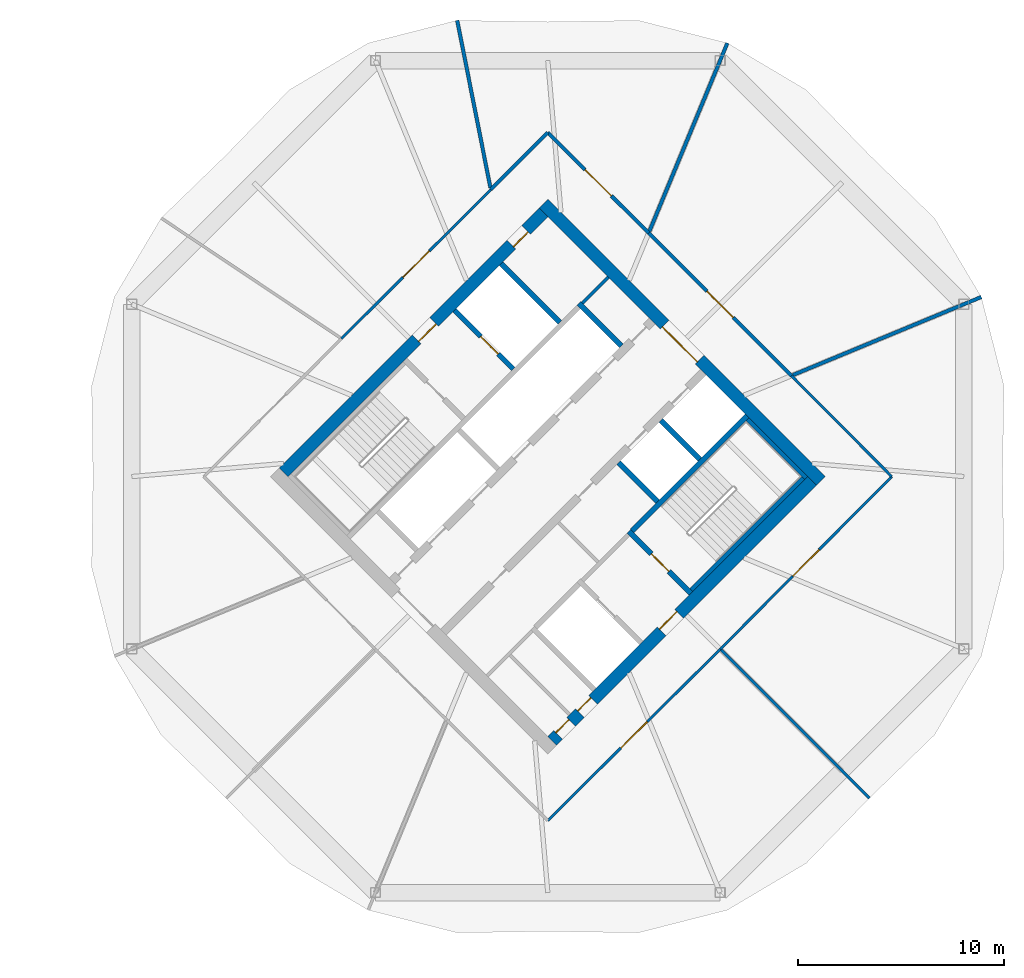
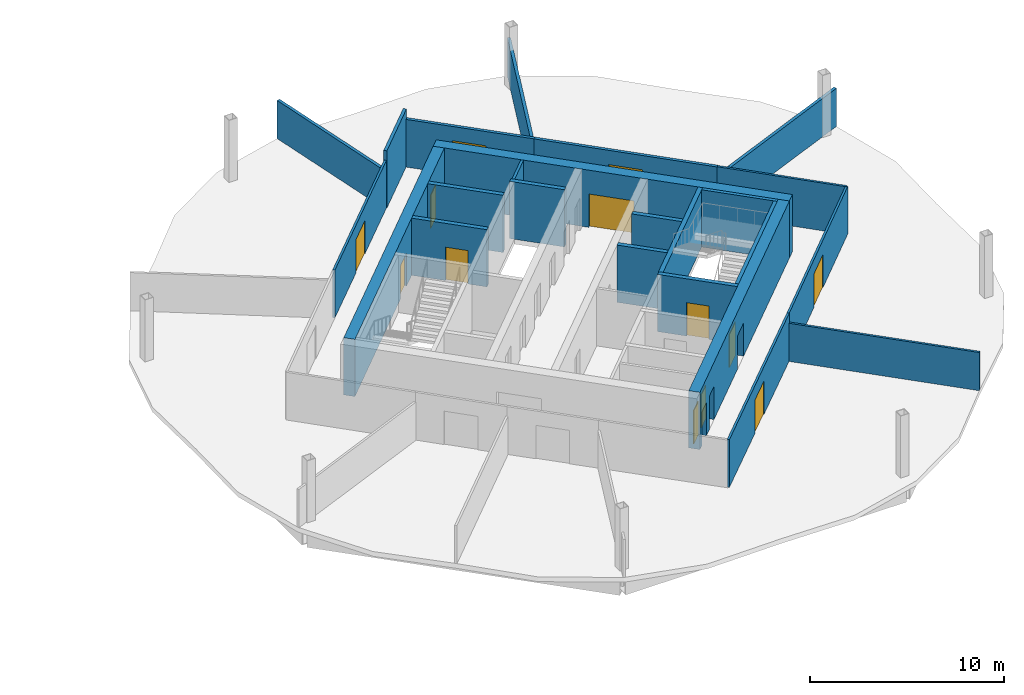
# One storey, part 8 of 10: 24 walls, 13 doors, 13 openings.
"""IFC4 building model written with IfcOpenShell, lengths in metres."""

from ifc_helpers import new_model, si_unit, direction, frame, frame_2d, origin, place, context, subcontext, project, spatial, rectangle, extrude, material, layer, layer_set, type_object, element, fill, save


model = new_model("IFC4")

# Units and contexts
model_context = context("Model", 3, precision=1e-05, world=origin(), true_north=direction((0.0, 1.0)))
body_context = subcontext(model_context, "Body", "Model", "MODEL_VIEW")
ifc_project = project(units=[si_unit("LENGTHUNIT", "METRE"), si_unit("AREAUNIT", "SQUARE_METRE"), si_unit("VOLUMEUNIT", "CUBIC_METRE"), si_unit("PLANEANGLEUNIT", "RADIAN"), si_unit("MASSUNIT", "GRAM", prefix="KILO")], contexts=[model_context])

# Site, building, storey
site_placement = place(None, origin())
site = spatial("IfcSite", under=ifc_project, at=site_placement, CompositionType="ELEMENT")
building_placement = place(site_placement, origin())
building = spatial("IfcBuilding", under=site, at=building_placement, Name="Ogive Gate Towers", CompositionType="ELEMENT")
storey_placement = place(building_placement, frame((0.0, 0.0, 173.39990234375)))
storey = spatial("IfcBuildingStorey", under=building, at=storey_placement, Name="L41", CompositionType="ELEMENT", Elevation=173.39990234375)

# Walls
ifc_material_1 = material(Name="Gypsum board acoustic partition")
ifc_layer_1 = layer(ifc_material_1, 0.175048828125)
ifc_layer_set_1 = layer_set([ifc_layer_1], Name="Acoustic partition 175")
wall_type_1 = type_object("IfcWallType", Name="Acoustic partition 175", PredefinedType="PARTITIONING", material=ifc_layer_set_1)
for number, where, z_axis, x_axis, name in (
    (1, (56.999755859375, 8.698486328125, 0.0), (0.0, 0.0, 1.0), (-0.923882696383, -0.382675794013, 0.0), "Partition T2-L41-001"),
    (2, (44.698486328125, 20.999755859375, 0.0), (0.0, 0.0, 1.0), (-0.382675794013, -0.923882696383, 0.0), "Partition T2-L41-002"),
):
    element("IfcWall", number, at=place(storey_placement, frame(where, z_axis=z_axis, x_axis=x_axis)), inside=storey, type_object=wall_type_1, Name=name, PredefinedType="PARTITIONING", context=body_context, shape_type="SweptSolid", body=[
        extrude(rectangle(XDim=9.87158203125, YDim=0.175048828125, at=frame_2d((4.935791015625, 0.0))), origin(), (0.0, 0.0, 1.0), 2.400146484375),
    ])
wall_1_placement = place(storey_placement, frame((31.612548828125, 22.09814453125, 0.0), z_axis=(0.0, 0.0, 1.0), x_axis=(0.194747981296, -0.9808533141, 0.0)))
element("IfcWall", 3, at=wall_1_placement, inside=storey, type_object=wall_type_1, Name="Partition T2-L41-003", PredefinedType="PARTITIONING", context=body_context, shape_type="SweptSolid", body=[
    extrude(rectangle(XDim=8.271484375, YDim=0.175048828125, at=frame_2d((4.1357421875, 0.0))), origin(), (0.0, 0.0, 1.0), 2.400146484375),
])

# Wall, opening, door
wall_2_placement = place(storey_placement, frame((40.88720703125, 11.798828125, 0.0), z_axis=(0.0, 0.0, 1.0), x_axis=(-0.709034527983, 0.705173764492, 0.0)))
wall_2 = element("IfcWall", 4, at=wall_2_placement, inside=storey, type_object=wall_type_1, Name="Partition T2-L41-009", PredefinedType="PARTITIONING", context=body_context, shape_type="SweptSolid", body=[
    extrude(rectangle(XDim=6.892822265625, YDim=0.175048828125, at=frame_2d((3.4462890625, 0.0))), origin(), (0.0, 0.0, 1.0), 3.0),
])
opening_1_placement = place(wall_2_placement, frame((2.5458984375, 0.0, 0.0)))
opening_1 = element("IfcOpeningElement", 5, at=opening_1_placement, cuts=wall_2, Name="Opening T2-L41-D01", PredefinedType="OPENING", context=body_context, shape_type="SweptSolid", body=[
    extrude(rectangle(XDim=1.800048828125, YDim=2.10009765625, at=frame_2d((0.89990234375, 1.050048828125))), frame((0.0, 0.09765625, 0.0), z_axis=(0.0, -1.0, 0.0), x_axis=(1.0, 0.0, 0.0)), (0.0, 0.0, 1.0), 0.195068359375),
])
ifc_material_2 = material(Name="Timber door", Category="wood")
door_type_1 = type_object("IfcDoorType", Name="Door pair 1800", OperationType="NOTDEFINED", PredefinedType="DOOR", material=ifc_material_2)
door_1_placement = place(opening_1_placement, origin())
door_1 = element("IfcDoor", 6, at=door_1_placement, inside=storey, type_object=door_type_1, Name="Door T2-L41-D01", OperationType="DOUBLE_DOOR_DOUBLE_SWING", OverallHeight=2.10009765625, OverallWidth=1.800048828125, PredefinedType="DOOR", context=body_context, shape_type="SweptSolid", body=[
    extrude(rectangle(XDim=1.800048828125, YDim=2.10009765625, at=frame_2d((0.89990234375, 1.050048828125))), frame((0.0, 0.02490234375, 0.0), z_axis=(0.0, -1.0, 0.0), x_axis=(1.0, 0.0, 0.0)), (0.0, 0.0, 1.0), 0.050048828125),
])
fill(opening_1, door_1)

# Wall
wall_3_placement = place(storey_placement, frame((36.0, 16.659423828125, 0.0), z_axis=(0.0, 0.0, 1.0), x_axis=(-0.707075505039, -0.707138055951, 0.0)))
element("IfcWall", 7, at=wall_3_placement, inside=storey, type_object=wall_type_1, Name="Partition T2-L41-010", PredefinedType="PARTITIONING", context=body_context, shape_type="SweptSolid", body=[
    extrude(rectangle(XDim=3.903076171875, YDim=0.175048828125, at=frame_2d((1.95166015625, 0.0))), origin(), (0.0, 0.0, 1.0), 3.60009765625),
])

# Wall, opening, door
wall_4_placement = place(storey_placement, frame((47.798828125, 4.88720703125, 0.0), z_axis=(0.0, 0.0, 1.0), x_axis=(-0.707106781187, 0.707106781187, 0.0)))
wall_4 = element("IfcWall", 8, at=wall_4_placement, inside=storey, type_object=wall_type_1, Name="Partition T2-L41-020", PredefinedType="PARTITIONING", context=body_context, shape_type="SweptSolid", body=[
    extrude(rectangle(XDim=9.7744140625, YDim=0.175048828125, at=frame_2d((4.88720703125, 0.0))), origin(), (0.0, 0.0, 1.0), 3.0),
])
opening_2_placement = place(wall_4_placement, frame((3.987060546875, 0.0, 0.0)))
opening_2 = element("IfcOpeningElement", 9, at=opening_2_placement, cuts=wall_4, Name="Opening T2-L41-D08", PredefinedType="OPENING", context=body_context, shape_type="SweptSolid", body=[
    extrude(rectangle(XDim=1.800048828125, YDim=2.10009765625, at=frame_2d((0.89990234375, 1.050048828125))), frame((0.0, 0.09765625, 0.0), z_axis=(0.0, -1.0, 0.0), x_axis=(1.0, 0.0, 0.0)), (0.0, 0.0, 1.0), 0.195068359375),
])
door_2_placement = place(opening_2_placement, origin())
door_2 = element("IfcDoor", 10, at=door_2_placement, inside=storey, type_object=door_type_1, Name="Door T2-L41-D08", OperationType="DOUBLE_DOOR_DOUBLE_SWING", OverallHeight=2.10009765625, OverallWidth=1.800048828125, PredefinedType="DOOR", context=body_context, shape_type="SweptSolid", body=[
    extrude(rectangle(XDim=1.800048828125, YDim=2.10009765625, at=frame_2d((0.89990234375, 1.050048828125))), frame((0.0, 0.02490234375, 0.0), z_axis=(0.0, -1.0, 0.0), x_axis=(1.0, 0.0, 0.0)), (0.0, 0.0, 1.0), 0.050048828125),
])
fill(opening_2, door_2)

# Wall, openings, doors
ifc_material_3 = material(Name="Concrete C60/75", Category="concrete")
ifc_layer_2 = layer(ifc_material_3, 0.60009765625)
ifc_layer_set_2 = layer_set([ifc_layer_2], Name="Core wall 600 mm")
wall_type_2 = type_object("IfcWallType", Name="Core wall 600 mm", PredefinedType="SHEAR", material=ifc_layer_set_2)
wall_5_placement = place(storey_placement, frame((36.212158203125, -12.798583984375, 0.0), z_axis=(0.0, 0.0, 1.0), x_axis=(0.707106781187, 0.707106781187, 0.0)))
wall_5 = element("IfcWall", 11, at=wall_5_placement, inside=storey, type_object=wall_type_2, Name="T2 L41 Core wall 600 mm", PredefinedType="SHEAR", context=body_context, shape_type="SweptSolid", body=[
    extrude(rectangle(XDim=17.7998046875, YDim=0.60009765625, at=frame_2d((8.89990234375, 0.0))), origin(), (0.0, 0.0, 1.0), 3.60009765625),
])
opening_3_placement = place(wall_5_placement, frame((7.5, 0.0, 0.0)))
opening_3 = element("IfcOpeningElement", 12, at=opening_3_placement, cuts=wall_5, Name="Opening KD-T2-L41-19", PredefinedType="OPENING", context=body_context, shape_type="SweptSolid", body=[
    extrude(rectangle(XDim=1.199951171875, YDim=2.10009765625, at=frame_2d((0.60009765625, 1.050048828125))), frame((0.0, 0.31005859375, 0.0), z_axis=(0.0, -1.0, 0.0), x_axis=(1.0, 0.0, 0.0)), (0.0, 0.0, 1.0), 0.6201171875),
])
opening_4_placement = place(wall_5_placement, frame((0.39990234375, 0.0, 0.0)))
opening_4 = element("IfcOpeningElement", 13, at=opening_4_placement, cuts=wall_5, Name="Opening KD-T2-L41-21", PredefinedType="OPENING", context=body_context, shape_type="SweptSolid", body=[
    extrude(rectangle(XDim=0.89990234375, YDim=2.10009765625, at=frame_2d((0.449951171875, 1.050048828125))), frame((0.0, 0.31005859375, 0.0), z_axis=(0.0, -1.0, 0.0), x_axis=(1.0, 0.0, 0.0)), (0.0, 0.0, 1.0), 0.6201171875),
])
opening_5_placement = place(wall_5_placement, frame((1.89990234375, 0.0, 0.0)))
opening_5 = element("IfcOpeningElement", 14, at=opening_5_placement, cuts=wall_5, Name="Opening KD-T2-L41-22", PredefinedType="OPENING", context=body_context, shape_type="SweptSolid", body=[
    extrude(rectangle(XDim=0.89990234375, YDim=2.10009765625, at=frame_2d((0.449951171875, 1.050048828125))), frame((0.0, 0.31005859375, 0.0), z_axis=(0.0, -1.0, 0.0), x_axis=(1.0, 0.0, 0.0)), (0.0, 0.0, 1.0), 0.6201171875),
])
door_type_2 = type_object("IfcDoorType", Name="Core WC door 900 x 2100", OperationType="NOTDEFINED", PredefinedType="DOOR", material=ifc_material_2)
door_3_placement = place(opening_4_placement, origin())
door_3 = element("IfcDoor", 15, at=door_3_placement, inside=storey, type_object=door_type_2, Name="T2 L41 Core door", OperationType="SINGLE_SWING_RIGHT", OverallHeight=2.10009765625, OverallWidth=0.89990234375, PredefinedType="DOOR", context=body_context, shape_type="SweptSolid", body=[
    extrude(rectangle(XDim=0.89990234375, YDim=2.10009765625, at=frame_2d((0.449951171875, 1.050048828125))), frame((0.0, 0.1748046875, 0.0), z_axis=(0.0, -1.0, 0.0), x_axis=(1.0, 0.0, 0.0)), (0.0, 0.0, 1.0), 0.050048828125),
])
fill(opening_4, door_3)
door_4_placement = place(opening_5_placement, origin())
door_4 = element("IfcDoor", 16, at=door_4_placement, inside=storey, type_object=door_type_2, Name="T2 L41 Core door", OperationType="SINGLE_SWING_LEFT", OverallHeight=2.10009765625, OverallWidth=0.89990234375, PredefinedType="DOOR", context=body_context, shape_type="SweptSolid", body=[
    extrude(rectangle(XDim=0.89990234375, YDim=2.10009765625, at=frame_2d((0.449951171875, 1.050048828125))), frame((0.0, 0.1748046875, 0.0), z_axis=(0.0, -1.0, 0.0), x_axis=(1.0, 0.0, 0.0)), (0.0, 0.0, 1.0), 0.050048828125),
])
fill(opening_5, door_4)
ifc_material_4 = material(Name="Steel fire door", Category="steel")
door_type_3 = type_object("IfcDoorType", Name="Core door FD60S 1200 x 2100", OperationType="NOTDEFINED", PredefinedType="DOOR", material=ifc_material_4)
door_5_placement = place(opening_3_placement, origin())
door_5 = element("IfcDoor", 17, at=door_5_placement, inside=storey, type_object=door_type_3, Name="T2 L41 Fire-fighting lobby door", OperationType="SINGLE_SWING_RIGHT", OverallHeight=2.10009765625, OverallWidth=1.199951171875, PredefinedType="DOOR", context=body_context, shape_type="SweptSolid", body=[
    extrude(rectangle(XDim=1.199951171875, YDim=2.10009765625, at=frame_2d((0.60009765625, 1.050048828125))), frame((0.0, 0.1748046875, 0.0), z_axis=(0.0, -1.0, 0.0), x_axis=(1.0, 0.0, 0.0)), (0.0, 0.0, 1.0), 0.050048828125),
])
fill(opening_3, door_5)

wall_6_placement = place(storey_placement, frame((23.201416015625, 0.212158203125, 0.0), z_axis=(0.0, 0.0, 1.0), x_axis=(0.707106781187, 0.707106781187, 0.0)))
wall_6 = element("IfcWall", 18, at=wall_6_placement, inside=storey, type_object=wall_type_2, Name="T2 L41 Core wall 600 mm", PredefinedType="SHEAR", context=body_context, shape_type="SweptSolid", body=[
    extrude(rectangle(XDim=17.7998046875, YDim=0.60009765625, at=frame_2d((8.89990234375, 0.0))), origin(), (0.0, 0.0, 1.0), 3.60009765625),
])
opening_6_placement = place(wall_6_placement, frame((9.10009765625, 0.0, 0.0)))
opening_6 = element("IfcOpeningElement", 19, at=opening_6_placement, cuts=wall_6, Name="Opening KD-T2-L41-18", PredefinedType="OPENING", context=body_context, shape_type="SweptSolid", body=[
    extrude(rectangle(XDim=1.199951171875, YDim=2.10009765625, at=frame_2d((0.60009765625, 1.050048828125))), frame((0.0, 0.31005859375, 0.0), z_axis=(0.0, -1.0, 0.0), x_axis=(1.0, 0.0, 0.0)), (0.0, 0.0, 1.0), 0.6201171875),
])
opening_7_placement = place(wall_6_placement, frame((15.60009765625, 0.0, 0.0)))
opening_7 = element("IfcOpeningElement", 20, at=opening_7_placement, cuts=wall_6, Name="Opening KD-T2-L41-20", PredefinedType="OPENING", context=body_context, shape_type="SweptSolid", body=[
    extrude(rectangle(XDim=1.0, YDim=2.10009765625, at=frame_2d((0.5, 1.050048828125))), frame((0.0, 0.31005859375, 0.0), z_axis=(0.0, -1.0, 0.0), x_axis=(1.0, 0.0, 0.0)), (0.0, 0.0, 1.0), 0.6201171875),
])
door_type_4 = type_object("IfcDoorType", Name="Accessible WC door 1000 x 2100", OperationType="NOTDEFINED", PredefinedType="DOOR", material=ifc_material_2)
door_6_placement = place(opening_7_placement, origin())
door_6 = element("IfcDoor", 21, at=door_6_placement, inside=storey, type_object=door_type_4, Name="T2 L41 Core door", OperationType="SINGLE_SWING_LEFT", OverallHeight=2.10009765625, OverallWidth=1.0, PredefinedType="DOOR", context=body_context, shape_type="SweptSolid", body=[
    extrude(rectangle(XDim=1.0, YDim=2.10009765625, at=frame_2d((0.5, 1.050048828125))), frame((0.0, -0.125, 0.0), z_axis=(0.0, -1.0, 0.0), x_axis=(1.0, 0.0, 0.0)), (0.0, 0.0, 1.0), 0.050048828125),
])
fill(opening_7, door_6)
door_7_placement = place(opening_6_placement, origin())
door_7 = element("IfcDoor", 22, at=door_7_placement, inside=storey, type_object=door_type_3, Name="T2 L41 Fire-fighting lobby door", OperationType="SINGLE_SWING_LEFT", OverallHeight=2.10009765625, OverallWidth=1.199951171875, PredefinedType="DOOR", context=body_context, shape_type="SweptSolid", body=[
    extrude(rectangle(XDim=1.199951171875, YDim=2.10009765625, at=frame_2d((0.60009765625, 1.050048828125))), frame((0.0, -0.125, 0.0), z_axis=(0.0, -1.0, 0.0), x_axis=(1.0, 0.0, 0.0)), (0.0, 0.0, 1.0), 0.050048828125),
])
fill(opening_6, door_7)

# Wall, opening, door
wall_7_placement = place(storey_placement, frame((49.222900390625, -0.212158203125, 0.0), z_axis=(0.0, 0.0, 1.0), x_axis=(-0.707106781187, 0.707106781187, 0.0)))
wall_7 = element("IfcWall", 23, at=wall_7_placement, inside=storey, type_object=wall_type_2, Name="T2 L41 Core wall 600 mm", PredefinedType="SHEAR", context=body_context, shape_type="SweptSolid", body=[
    extrude(rectangle(XDim=19.0, YDim=0.60009765625, at=frame_2d((9.5, 0.0))), origin(), (0.0, 0.0, 1.0), 3.60009765625),
])
opening_8_placement = place(wall_7_placement, frame((8.300048828125, 0.0, 0.0)))
opening_8 = element("IfcOpeningElement", 24, at=opening_8_placement, cuts=wall_7, Name="Opening KD-T2-L41-02", PredefinedType="OPENING", context=body_context, shape_type="SweptSolid", body=[
    extrude(rectangle(XDim=2.39990234375, YDim=2.10009765625, at=frame_2d((1.199951171875, 1.050048828125))), frame((0.0, 0.31005859375, 0.0), z_axis=(0.0, -1.0, 0.0), x_axis=(1.0, 0.0, 0.0)), (0.0, 0.0, 1.0), 0.6201171875),
])
door_type_5 = type_object("IfcDoorType", Name="Core double door FD60S 2400 x 2100", OperationType="DOUBLE_DOOR_SINGLE_SWING", PredefinedType="DOOR", material=ifc_material_4)
door_8_placement = place(opening_8_placement, origin())
door_8 = element("IfcDoor", 25, at=door_8_placement, inside=storey, type_object=door_type_5, Name="T2 L41 Core door double", OperationType="DOUBLE_DOOR_SINGLE_SWING", OverallHeight=2.10009765625, OverallWidth=2.39990234375, PredefinedType="DOOR", context=body_context, shape_type="SweptSolid", body=[
    extrude(rectangle(XDim=2.39990234375, YDim=2.10009765625, at=frame_2d((1.199951171875, 1.050048828125))), frame((0.0, 0.1748046875, 0.0), z_axis=(0.0, -1.0, 0.0), x_axis=(1.0, 0.0, 0.0)), (0.0, 0.0, 1.0), 0.050048828125),
])
fill(opening_8, door_8)

# Wall
ifc_material_5 = material(Name="Gypsum board partition")
ifc_layer_3 = layer(ifc_material_5, 0.125)
ifc_layer_set_3 = layer_set([ifc_layer_3], Name="Partition 125")
wall_type_3 = type_object("IfcWallType", Name="Partition 125", PredefinedType="PARTITIONING", material=ifc_layer_set_3)
wall_8_placement = place(storey_placement, frame((51.576904296875, -15.576904296875, 0.0), z_axis=(0.0, 0.0, 1.0), x_axis=(-0.707106781187, 0.707106781187, 0.0)))
element("IfcWall", 26, at=wall_8_placement, inside=storey, type_object=wall_type_3, Name="Partition T2-L41-008", PredefinedType="PARTITIONING", context=body_context, shape_type="SweptSolid", body=[
    extrude(rectangle(XDim=10.146728515625, YDim=0.125, at=frame_2d((5.0732421875, 0.0))), origin(), (0.0, 0.0, 1.0), 2.400146484375),
])

# Wall, opening, door
wall_9_placement = place(storey_placement, frame((33.240234375, 13.8994140625, 0.0), z_axis=(0.0, 0.0, 1.0), x_axis=(-0.707847093998, -0.706365692484, 0.0)))
wall_9 = element("IfcWall", 27, at=wall_9_placement, inside=storey, type_object=wall_type_3, Name="Partition T2-L41-011", PredefinedType="PARTITIONING", context=body_context, shape_type="SweptSolid", body=[
    extrude(rectangle(XDim=10.2177734375, YDim=0.125, at=frame_2d((5.10888671875, 0.0))), origin(), (0.0, 0.0, 1.0), 3.0),
])
opening_9_placement = place(wall_9_placement, frame((4.208984375, 0.0, 0.0)))
opening_9 = element("IfcOpeningElement", 28, at=opening_9_placement, cuts=wall_9, Name="Opening T2-L41-D02", PredefinedType="OPENING", context=body_context, shape_type="SweptSolid", body=[
    extrude(rectangle(XDim=1.800048828125, YDim=2.10009765625, at=frame_2d((0.89990234375, 1.050048828125))), frame((0.0, 0.072509765625, 0.0), z_axis=(0.0, -1.0, 0.0), x_axis=(1.0, 0.0, 0.0)), (0.0, 0.0, 1.0), 0.14501953125),
])
door_9_placement = place(opening_9_placement, origin())
door_9 = element("IfcDoor", 29, at=door_9_placement, inside=storey, type_object=door_type_1, Name="Door T2-L41-D02", OperationType="DOUBLE_DOOR_DOUBLE_SWING", OverallHeight=2.10009765625, OverallWidth=1.800048828125, PredefinedType="DOOR", context=body_context, shape_type="SweptSolid", body=[
    extrude(rectangle(XDim=1.800048828125, YDim=2.10009765625, at=frame_2d((0.89990234375, 1.050048828125))), frame((0.0, 0.02490234375, 0.0), z_axis=(0.0, -1.0, 0.0), x_axis=(1.0, 0.0, 0.0)), (0.0, 0.0, 1.0), 0.050048828125),
])
fill(opening_9, door_9)

wall_10_placement = place(storey_placement, frame((36.0, -16.659423828125, 0.0), z_axis=(0.0, 0.0, 1.0), x_axis=(0.709496456229, 0.70470900278, 0.0)))
wall_10 = element("IfcWall", 30, at=wall_10_placement, inside=storey, type_object=wall_type_3, Name="Partition T2-L41-016", PredefinedType="PARTITIONING", context=body_context, shape_type="SweptSolid", body=[
    extrude(rectangle(XDim=11.780029296875, YDim=0.125, at=frame_2d((5.89013671875, 0.0))), origin(), (0.0, 0.0, 1.0), 3.0),
])
opening_10_placement = place(wall_10_placement, frame((4.989990234375, 0.0, 0.0)))
opening_10 = element("IfcOpeningElement", 31, at=opening_10_placement, cuts=wall_10, Name="Opening T2-L41-D06", PredefinedType="OPENING", context=body_context, shape_type="SweptSolid", body=[
    extrude(rectangle(XDim=1.800048828125, YDim=2.10009765625, at=frame_2d((0.89990234375, 1.050048828125))), frame((0.0, 0.072509765625, 0.0), z_axis=(0.0, -1.0, 0.0), x_axis=(1.0, 0.0, 0.0)), (0.0, 0.0, 1.0), 0.14501953125),
])
door_10_placement = place(opening_10_placement, origin())
door_10 = element("IfcDoor", 32, at=door_10_placement, inside=storey, type_object=door_type_1, Name="Door T2-L41-D06", OperationType="DOUBLE_DOOR_DOUBLE_SWING", OverallHeight=2.10009765625, OverallWidth=1.800048828125, PredefinedType="DOOR", context=body_context, shape_type="SweptSolid", body=[
    extrude(rectangle(XDim=1.800048828125, YDim=2.10009765625, at=frame_2d((0.89990234375, 1.050048828125))), frame((0.0, 0.02490234375, 0.0), z_axis=(0.0, -1.0, 0.0), x_axis=(1.0, 0.0, 0.0)), (0.0, 0.0, 1.0), 0.050048828125),
])
fill(opening_10, door_10)

wall_11_placement = place(storey_placement, frame((44.35791015625, -8.35791015625, 0.0), z_axis=(0.0, 0.0, 1.0), x_axis=(0.70470900278, 0.709496456229, 0.0)))
wall_11 = element("IfcWall", 33, at=wall_11_placement, inside=storey, type_object=wall_type_3, Name="Partition T2-L41-018", PredefinedType="PARTITIONING", context=body_context, shape_type="SweptSolid", body=[
    extrude(rectangle(XDim=11.780029296875, YDim=0.125, at=frame_2d((5.89013671875, 0.0))), origin(), (0.0, 0.0, 1.0), 3.0),
])
opening_11_placement = place(wall_11_placement, frame((4.989990234375, 0.0, 0.0)))
opening_11 = element("IfcOpeningElement", 34, at=opening_11_placement, cuts=wall_11, Name="Opening T2-L41-D07", PredefinedType="OPENING", context=body_context, shape_type="SweptSolid", body=[
    extrude(rectangle(XDim=1.800048828125, YDim=2.10009765625, at=frame_2d((0.89990234375, 1.050048828125))), frame((0.0, 0.072509765625, 0.0), z_axis=(0.0, -1.0, 0.0), x_axis=(1.0, 0.0, 0.0)), (0.0, 0.0, 1.0), 0.14501953125),
])
door_11_placement = place(opening_11_placement, origin())
door_11 = element("IfcDoor", 35, at=door_11_placement, inside=storey, type_object=door_type_1, Name="Door T2-L41-D07", OperationType="DOUBLE_DOOR_DOUBLE_SWING", OverallHeight=2.10009765625, OverallWidth=1.800048828125, PredefinedType="DOOR", context=body_context, shape_type="SweptSolid", body=[
    extrude(rectangle(XDim=1.800048828125, YDim=2.10009765625, at=frame_2d((0.89990234375, 1.050048828125))), frame((0.0, 0.02490234375, 0.0), z_axis=(0.0, -1.0, 0.0), x_axis=(1.0, 0.0, 0.0)), (0.0, 0.0, 1.0), 0.050048828125),
])
fill(opening_11, door_11)

# Walls
wall_12_placement = place(storey_placement, frame((52.659423828125, 0.0, 0.0), z_axis=(0.0, 0.0, 1.0), x_axis=(-0.705173764492, 0.709034527983, 0.0)))
element("IfcWall", 36, at=wall_12_placement, inside=storey, type_object=wall_type_3, Name="Partition T2-L41-019", PredefinedType="PARTITIONING", context=body_context, shape_type="SweptSolid", body=[
    extrude(rectangle(XDim=6.892822265625, YDim=0.125, at=frame_2d((3.4462890625, 0.0))), origin(), (0.0, 0.0, 1.0), 3.0),
])
ifc_layer_4 = layer(ifc_material_5, 0.14990234375)
ifc_layer_set_4 = layer_set([ifc_layer_4], Name="Room partition 150 mm")
wall_type_4 = type_object("IfcWallType", Name="Room partition 150 mm", PredefinedType="PARTITIONING", material=ifc_layer_set_4)
wall_13_placement = place(storey_placement, frame((37.679443359375, 8.39697265625, 0.0), z_axis=(0.0, 0.0, 1.0), x_axis=(0.707106781187, 0.707106781187, 0.0)))
element("IfcWall", 37, at=wall_13_placement, inside=storey, type_object=wall_type_4, Name="T2 L41 Room partition 150 mm", PredefinedType="PARTITIONING", context=body_context, shape_type="SweptSolid", body=[
    extrude(rectangle(XDim=1.77490234375, YDim=0.14990234375, at=frame_2d((0.887451171875, 0.0))), origin(), (0.0, 0.0, 1.0), 3.60009765625),
])
ifc_layer_5 = layer(ifc_material_3, 0.25)
ifc_layer_set_5 = layer_set([ifc_layer_5], Name="Shaft wall 250 mm")
wall_type_5 = type_object("IfcWallType", Name="Shaft wall 250 mm", PredefinedType="SHEAR", material=ifc_layer_set_5)
wall_14_placement = place(storey_placement, frame((40.08349609375, -2.634033203125, 0.0), z_axis=(0.0, 0.0, 1.0), x_axis=(0.707106781187, 0.707106781187, 0.0)))
element("IfcWall", 38, at=wall_14_placement, inside=storey, type_object=wall_type_5, Name="T2 L41 Shaft wall 250 mm", PredefinedType="SHEAR", context=body_context, shape_type="SweptSolid", body=[
    extrude(rectangle(XDim=7.875244140625, YDim=0.25, at=frame_2d((3.9375, 0.0))), origin(), (0.0, 0.0, 1.0), 3.60009765625),
])

# Wall, opening, door
wall_15_placement = place(storey_placement, frame((42.9296875, -5.656982421875, 0.0), z_axis=(0.0, 0.0, 1.0), x_axis=(-0.707106781187, 0.707106781187, 0.0)))
wall_15 = element("IfcWall", 39, at=wall_15_placement, inside=storey, type_object=wall_type_5, Name="T2 L41 Shaft wall 250 mm", PredefinedType="SHEAR", context=body_context, shape_type="SweptSolid", body=[
    extrude(rectangle(XDim=4.250244140625, YDim=0.25, at=frame_2d((2.125, 0.0))), origin(), (0.0, 0.0, 1.0), 3.60009765625),
])
opening_12_placement = place(wall_15_placement, frame((1.5, 0.0, 0.0)))
opening_12 = element("IfcOpeningElement", 40, at=opening_12_placement, cuts=wall_15, Name="Opening KD-T2-L41-17", PredefinedType="OPENING", context=body_context, shape_type="SweptSolid", body=[
    extrude(rectangle(XDim=1.199951171875, YDim=2.10009765625, at=frame_2d((0.60009765625, 1.050048828125))), frame((0.0, 0.135009765625, 0.0), z_axis=(0.0, -1.0, 0.0), x_axis=(1.0, 0.0, 0.0)), (0.0, 0.0, 1.0), 0.27001953125),
])
door_12_placement = place(opening_12_placement, origin())
door_12 = element("IfcDoor", 41, at=door_12_placement, inside=storey, type_object=door_type_3, Name="T2 L41 Stair door", OperationType="SINGLE_SWING_RIGHT", OverallHeight=2.10009765625, OverallWidth=1.199951171875, PredefinedType="DOOR", context=body_context, shape_type="SweptSolid", body=[
    extrude(rectangle(XDim=1.199951171875, YDim=2.10009765625, at=frame_2d((0.60009765625, 1.050048828125))), frame((0.0, 0.02490234375, 0.0), z_axis=(0.0, -1.0, 0.0), x_axis=(1.0, 0.0, 0.0)), (0.0, 0.0, 1.0), 0.050048828125),
])
fill(opening_12, door_12)

wall_16_placement = place(storey_placement, frame((34.320556640625, 5.21484375, 0.0), z_axis=(0.0, 0.0, 1.0), x_axis=(-0.70707645213, 0.707137108942, 0.0)))
wall_16 = element("IfcWall", 42, at=wall_16_placement, inside=storey, type_object=wall_type_5, Name="T2 L41 Shaft wall 250 mm", PredefinedType="SHEAR", context=body_context, shape_type="SweptSolid", body=[
    extrude(rectangle(XDim=4.02490234375, YDim=0.25, at=frame_2d((2.012451171875, 0.0))), origin(), (0.0, 0.0, 1.0), 3.60009765625),
])
opening_13_placement = place(wall_16_placement, frame((1.02490234375, 0.0, 0.0)))
opening_13 = element("IfcOpeningElement", 43, at=opening_13_placement, cuts=wall_16, Name="Opening LD-T2-L41-12", PredefinedType="OPENING", context=body_context, shape_type="SweptSolid", body=[
    extrude(rectangle(XDim=1.199951171875, YDim=2.10009765625, at=frame_2d((0.60009765625, 1.050048828125))), frame((0.0, 0.135009765625, 0.0), z_axis=(0.0, -1.0, 0.0), x_axis=(1.0, 0.0, 0.0)), (0.0, 0.0, 1.0), 0.27001953125),
])
ifc_material_6 = material(Name="Stainless steel landing door", Category="steel")
door_type_6 = type_object("IfcDoorType", Name="Landing door 1200 x 2100", OperationType="SLIDING_TO_LEFT", PredefinedType="DOOR", material=ifc_material_6)
door_13_placement = place(opening_13_placement, origin())
door_13 = element("IfcDoor", 44, at=door_13_placement, inside=storey, type_object=door_type_6, Name="T2 L41 Lift landing door FF1", OperationType="SLIDING_TO_LEFT", OverallHeight=2.10009765625, OverallWidth=1.199951171875, PredefinedType="DOOR", context=body_context, shape_type="SweptSolid", body=[
    extrude(rectangle(XDim=1.199951171875, YDim=2.10009765625, at=frame_2d((0.60009765625, 1.050048828125))), frame((0.0, 0.02490234375, 0.0), z_axis=(0.0, -1.0, 0.0), x_axis=(1.0, 0.0, 0.0)), (0.0, 0.0, 1.0), 0.050048828125),
])
fill(opening_13, door_13)

# Walls
wall_17_placement = place(storey_placement, frame((41.321044921875, -1.2197265625, 0.0), z_axis=(0.0, 0.0, 1.0), x_axis=(-0.707106781187, 0.707106781187, 0.0)))
element("IfcWall", 45, at=wall_17_placement, inside=storey, type_object=wall_type_5, Name="T2 L41 Shaft wall 250 mm", PredefinedType="SHEAR", context=body_context, shape_type="SweptSolid", body=[
    extrude(rectangle(XDim=2.675048828125, YDim=0.25, at=frame_2d((1.33740234375, 0.0))), origin(), (0.0, 0.0, 1.0), 3.60009765625),
])
wall_18_placement = place(storey_placement, frame((36.58349609375, 7.477783203125, 0.0), z_axis=(0.0, 0.0, 1.0), x_axis=(-0.707137108942, 0.70707645213, 0.0)))
element("IfcWall", 46, at=wall_18_placement, inside=storey, type_object=wall_type_5, Name="T2 L41 Shaft wall 250 mm", PredefinedType="SHEAR", context=body_context, shape_type="SweptSolid", body=[
    extrude(rectangle(XDim=4.02490234375, YDim=0.25, at=frame_2d((2.012451171875, 0.0))), origin(), (0.0, 0.0, 1.0), 3.60009765625),
])
wall_19_placement = place(storey_placement, frame((43.37158203125, 0.830810546875, 0.0), z_axis=(0.0, 0.0, 1.0), x_axis=(-0.707106781187, 0.707106781187, 0.0)))
element("IfcWall", 47, at=wall_19_placement, inside=storey, type_object=wall_type_5, Name="T2 L41 Shaft wall 250 mm", PredefinedType="SHEAR", context=body_context, shape_type="SweptSolid", body=[
    extrude(rectangle(XDim=2.675048828125, YDim=0.25, at=frame_2d((1.33740234375, 0.0))), origin(), (0.0, 0.0, 1.0), 3.60009765625),
])
wall_20_placement = place(storey_placement, frame((39.57080078125, 6.32861328125, 0.0), z_axis=(0.0, 0.0, 1.0), x_axis=(-0.707065045505, 0.707148514405, 0.0)))
element("IfcWall", 48, at=wall_20_placement, inside=storey, type_object=wall_type_5, Name="T2 L41 Shaft wall 250 mm", PredefinedType="SHEAR", context=body_context, shape_type="SweptSolid", body=[
    extrude(rectangle(XDim=2.925048828125, YDim=0.25, at=frame_2d((1.46240234375, 0.0))), origin(), (0.0, 0.0, 1.0), 3.60009765625),
])
ifc_layer_6 = layer(ifc_material_3, 0.199951171875)
ifc_layer_set_6 = layer_set([ifc_layer_6], Name="Stair wall 200 mm")
wall_type_6 = type_object("IfcWallType", Name="Stair wall 200 mm", PredefinedType="SHEAR", material=ifc_layer_set_6)
wall_21_placement = place(storey_placement, frame((42.947265625, -5.497802734375, 0.0), z_axis=(0.0, 0.0, 1.0), x_axis=(0.707122685701, 0.707090876314, 0.0)))
element("IfcWall", 49, at=wall_21_placement, inside=storey, type_object=wall_type_6, Name="T2 L41 Stair wall 200 mm", PredefinedType="SHEAR", context=body_context, shape_type="SweptSolid", body=[
    extrude(rectangle(XDim=7.675048828125, YDim=0.199951171875, at=frame_2d((3.83740234375, 0.0))), origin(), (0.0, 0.0, 1.0), 3.60009765625),
])
wall_22_placement = place(storey_placement, frame((48.515869140625, -0.07080078125, 0.0), z_axis=(0.0, 0.0, 1.0), x_axis=(-0.707106781187, 0.707106781187, 0.0)))
element("IfcWall", 50, at=wall_22_placement, inside=storey, type_object=wall_type_6, Name="T2 L41 Stair wall 200 mm", PredefinedType="SHEAR", context=body_context, shape_type="SweptSolid", body=[
    extrude(rectangle(XDim=4.025146484375, YDim=0.199951171875, at=frame_2d((2.0126953125, 0.0))), origin(), (0.0, 0.0, 1.0), 3.60009765625),
])

save(model, "model.ifc")
